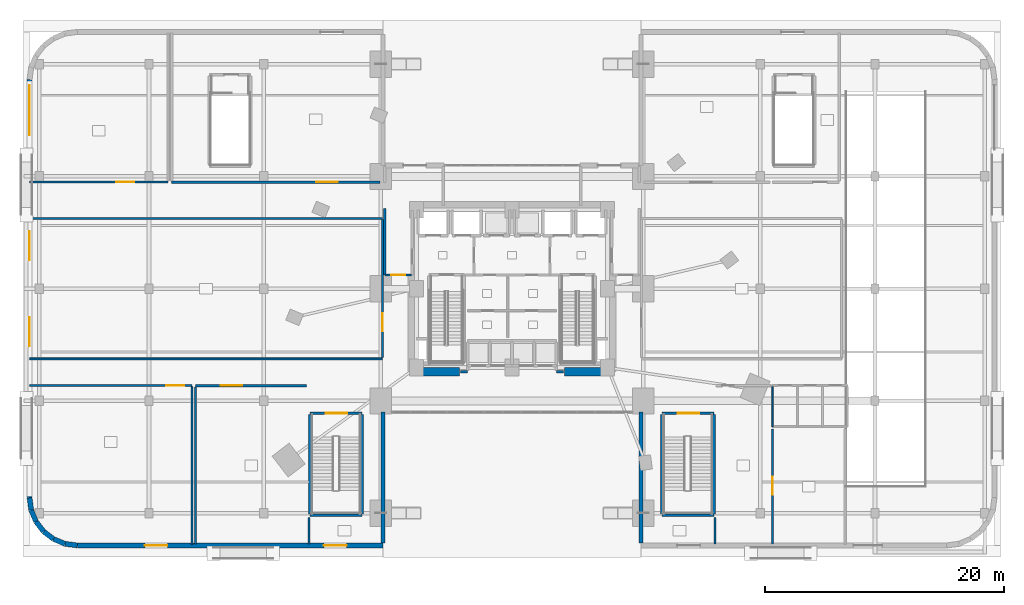
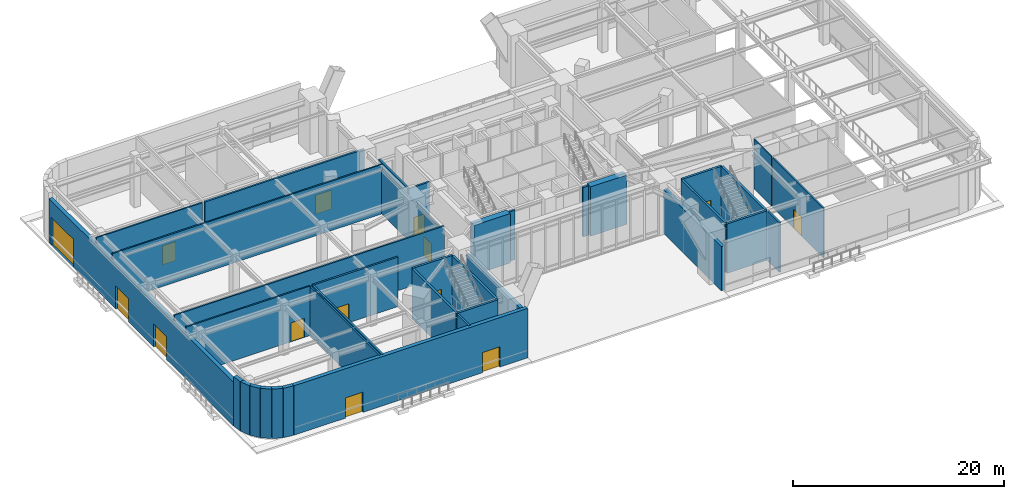
# One storey, part 17 of 27: 37 walls, 14 doors, 14 openings.
"""IFC4 building model written with IfcOpenShell, lengths in metres."""

import ifcopenshell
import ifcopenshell.guid

model = None  # the IFC model being written
_history = None  # IfcOwnerHistory: only IFC2X3 demands one
_inside = {}  # id of a spatial element -> (the spatial element, [elements in it])
_under = {}  # id of a project, library or spatial element -> (it, [spatial elements below it])
_declared = {}  # id of a project -> (the project, [libraries it declares])
_typed = {}  # id of a type object -> (the type object, [elements of that type])
_made_of = {}  # id of a material, layer set ... -> (it, [elements and type objects made of it])


def new_model(schema):
    """Start an empty IFC model of exactly this schema.

    Asked for "IFC4X3", IfcOpenShell would pick the latest addendum, in which some entities
    have other attributes; the version numbers below select the first issue.
    IFC2X3 requires an IfcOwnerHistory on every rooted entity: one is made here for all.
    """
    global model, _history
    if schema == "IFC4X3":
        model = ifcopenshell.file(schema_version=(4, 3, 0, 0))
    else:
        model = ifcopenshell.file(schema=schema)
    _inside.clear()
    _under.clear()
    _declared.clear()
    _typed.clear()
    _made_of.clear()
    _history = None
    if model.schema == "IFC2X3":
        org = make("IfcOrganization", Name="unknown")
        user = make(
            "IfcPersonAndOrganization",
            ThePerson=make("IfcPerson", FamilyName="unknown"),
            TheOrganization=org,
        )
        app = make(
            "IfcApplication",
            ApplicationDeveloper=org,
            Version="unknown",
            ApplicationFullName="unknown",
            ApplicationIdentifier="unknown",
        )
        _history = make(
            "IfcOwnerHistory",
            OwningUser=user,
            OwningApplication=app,
            ChangeAction="ADDED",
            CreationDate=0,
        )
    return model


def make(cls, **values):
    """One entity of the class cls with the attributes given. An attribute that is None is left unset."""
    return model.create_entity(
        cls, **{name: value for name, value in values.items() if value is not None}
    )


def rooted(cls, **values):
    """An entity with a GlobalId (a new one), such as an element, a storey or a relation."""
    return make(cls, GlobalId=ifcopenshell.guid.new(), OwnerHistory=_history, **values)


def si_unit(unit_type, name, prefix=None):
    """IfcSIUnit, for example si_unit("LENGTHUNIT", "METRE", prefix="MILLI")."""
    return make("IfcSIUnit", UnitType=unit_type, Prefix=prefix, Name=name)


def assignment(units):
    """IfcUnitAssignment: the units of a project."""
    return None if units is None else make("IfcUnitAssignment", Units=units)


def point(xyz):
    """IfcCartesianPoint."""
    return None if xyz is None else make("IfcCartesianPoint", Coordinates=xyz)


def direction(xyz):
    """IfcDirection."""
    return None if xyz is None else make("IfcDirection", DirectionRatios=xyz)


def frame(location, z_axis=None, x_axis=None):
    """IfcAxis2Placement3D, a coordinate frame: its origin and axes. An axis left out is left unset."""
    return make(
        "IfcAxis2Placement3D",
        Location=point(location),
        Axis=direction(z_axis),
        RefDirection=direction(x_axis),
    )


def frame_2d(location, x_axis=None):
    """IfcAxis2Placement2D, a coordinate frame in the plane: its origin and x axis."""
    return make(
        "IfcAxis2Placement2D", Location=point(location), RefDirection=direction(x_axis)
    )


def origin():
    """The frame at (0, 0, 0) with its axes left unset."""
    return frame((0.0, 0.0, 0.0))


def place(relative_to, where):
    """IfcLocalPlacement: puts the frame where relative to a parent placement (None: the world)."""
    return make(
        "IfcLocalPlacement", PlacementRelTo=relative_to, RelativePlacement=where
    )


def context(
    kind, dimensions, precision=None, world=None, true_north=None, identifier=None
):
    """IfcGeometricRepresentationContext, for example the 3D "Model" context."""
    return make(
        "IfcGeometricRepresentationContext",
        ContextIdentifier=identifier,
        ContextType=kind,
        CoordinateSpaceDimension=dimensions,
        Precision=precision,
        WorldCoordinateSystem=world,
        TrueNorth=true_north,
    )


def subcontext(parent, identifier, kind, view, scale=None):
    """IfcGeometricRepresentationSubContext, for example "Body" below "Model"."""
    return make(
        "IfcGeometricRepresentationSubContext",
        ContextIdentifier=identifier,
        ContextType=kind,
        ParentContext=parent,
        TargetScale=scale,
        TargetView=view,
    )


def project(units=None, contexts=None):
    """IfcProject with its units and contexts."""
    return rooted(
        "IfcProject",
        Name="project",
        RepresentationContexts=contexts,
        UnitsInContext=assignment(units),
    )


def spatial(cls, under=None, at=None, **own):
    """A site, building, storey or space (cls), placed at a placement, below another one or the project."""
    s = rooted(cls, ObjectPlacement=at, **own)
    if under is not None:
        _under.setdefault(under.id(), (under, []))[1].append(s)
    return s


def profile(cls, at=None, kind="AREA", **sizes):
    """A parametric profile (cls). Its sizes go by their IFC names, for example OverallWidth=200.0."""
    return make(cls, ProfileType=kind, Position=at, **sizes)


def rectangle(**sizes):
    """IfcRectangleProfileDef."""
    return profile("IfcRectangleProfileDef", **sizes)


def extrude(swept, where, along, depth):
    """IfcExtrudedAreaSolid: the profile swept, set in the frame where, extruded along a direction by depth."""
    return make(
        "IfcExtrudedAreaSolid",
        SweptArea=swept,
        Position=where,
        ExtrudedDirection=direction(along),
        Depth=depth,
    )


def shape(context_of_items, identifier, shape_type, items):
    """IfcShapeRepresentation: the items that make up one representation, for example the "Body"."""
    return make(
        "IfcShapeRepresentation",
        ContextOfItems=context_of_items,
        RepresentationIdentifier=identifier,
        RepresentationType=shape_type,
        Items=items,
    )


def material(Name=None, Category=None):
    """IfcMaterial."""
    return make("IfcMaterial", Name=Name, Category=Category)


def layer(
    of_material, thickness, ventilated=None, Name=None, Category=None, Priority=None
):
    """IfcMaterialLayer: one layer of a wall or slab, of a material (None: an air gap)."""
    return make(
        "IfcMaterialLayer",
        Material=of_material,
        LayerThickness=thickness,
        IsVentilated=ventilated,
        Name=Name,
        Category=Category,
        Priority=Priority,
    )


def layer_set(layers, Name=None):
    """IfcMaterialLayerSet."""
    return make("IfcMaterialLayerSet", MaterialLayers=layers, LayerSetName=Name)


def made_of(thing, what):
    """Note that an element or type object is made of a material, layer set ...; save() writes the relation."""
    if what is not None:
        _made_of.setdefault(what.id(), (what, []))[1].append(thing)
    return thing


def type_object(cls, material=None, **own):
    """A type object (cls), such as IfcWallType, which elements share."""
    return made_of(rooted(cls, **own), material)


def element(
    cls,
    number,
    at=None,
    inside=None,
    cuts=None,
    type_object=None,
    material=None,
    context=None,
    identifier="Body",
    shape_type=None,
    held_by="IfcProductDefinitionShape",
    body=None,
    shapes=None,
    **own,
):
    """One element of the class cls, such as IfcWall. Its Tag is "e" and its number.

    at: its placement. inside: the storey or other place that contains it. cuts: it is an
    opening in that element (IfcRelVoidsElement). A single representation is given by context,
    identifier, shape_type and body (its items); several are given by shapes. held_by: the class
    of the entity that holds the representations. save() writes the other relations.
    """
    e = rooted(cls, Tag="e%d" % number, ObjectPlacement=at, **own)
    if body is not None:
        shapes = [shape(context, identifier, shape_type, body)]
    if shapes is not None:
        e.Representation = make(held_by, Representations=shapes)
    if inside is not None:
        _inside.setdefault(inside.id(), (inside, []))[1].append(e)
    if cuts is not None:
        rooted(
            "IfcRelVoidsElement", RelatingBuildingElement=cuts, RelatedOpeningElement=e
        )
    if type_object is not None:
        _typed.setdefault(type_object.id(), (type_object, []))[1].append(e)
    return made_of(e, material)


def fill(opening, filler):
    """IfcRelFillsElement: the door or window that sits in an opening."""
    return rooted(
        "IfcRelFillsElement",
        RelatingOpeningElement=opening,
        RelatedBuildingElement=filler,
    )


def aggregate(whole, parts):
    """IfcRelAggregates: a whole, such as a stair, and the parts it consists of."""
    return rooted("IfcRelAggregates", RelatingObject=whole, RelatedObjects=parts)


def save(model, path):
    """Write the relations noted so far, then the file.

    IfcRelAggregates (storeys below a building ...), IfcRelContainedInSpatialStructure (elements
    in a storey), IfcRelDefinesByType, IfcRelAssociatesMaterial and IfcRelDeclares: one each for
    every whole, place, type object, material and project.
    """
    for whole, parts in _under.values():
        aggregate(whole, parts)
    for where, things in _inside.values():
        rooted(
            "IfcRelContainedInSpatialStructure",
            RelatedElements=things,
            RelatingStructure=where,
        )
    for kind, things in _typed.values():
        rooted("IfcRelDefinesByType", RelatedObjects=things, RelatingType=kind)
    for what, things in _made_of.values():
        rooted("IfcRelAssociatesMaterial", RelatedObjects=things, RelatingMaterial=what)
    for by, libraries in _declared.values():
        rooted("IfcRelDeclares", RelatingContext=by, RelatedDefinitions=libraries)
    model.write(path)


model = new_model("IFC4")

# Units and contexts
model_context = context("Model", 3, precision=1e-05, world=origin(), true_north=direction((0.0, 1.0)))
body_context = subcontext(model_context, "Body", "Model", "MODEL_VIEW")
ifc_project = project(units=[si_unit("LENGTHUNIT", "METRE"), si_unit("AREAUNIT", "SQUARE_METRE"), si_unit("VOLUMEUNIT", "CUBIC_METRE"), si_unit("PLANEANGLEUNIT", "RADIAN"), si_unit("MASSUNIT", "GRAM", prefix="KILO")], contexts=[model_context])

# Site, building, storey
site_placement = place(None, origin())
site = spatial("IfcSite", under=ifc_project, at=site_placement, CompositionType="ELEMENT")
building_placement = place(site_placement, origin())
building = spatial("IfcBuilding", under=site, at=building_placement, Name="Ndelora Gate Hotel", CompositionType="ELEMENT")
storey_placement = place(building_placement, origin())
storey = spatial("IfcBuildingStorey", under=building, at=storey_placement, Name="L00", CompositionType="ELEMENT", Elevation=0.0)

# Walls
ifc_material_1 = material(Name="Clay Brick Masonry", Category="masonry")
ifc_layer_1 = layer(ifc_material_1, 0.360107421875)
ifc_layer_set_1 = layer_set([ifc_layer_1], Name="Clay Brick Masonry")
wall_type_1 = type_object("IfcWallType", Name="WL-BRICK-360", PredefinedType="SOLIDWALL", material=ifc_layer_set_1)
for number, where, z_axis, x_axis, name in (
    (1, (-10.800048828125, -21.2900390625, 0.0), (0.0, 0.0, 1.0), (0.0, 1.0, 0.0), "L00 Portal Arch Brick Return Wall SW-RET"),
    (2, (10.800048828125, -10.320068359375, 0.0), (0.0, 0.0, 1.0), (0.0, -1.0, 0.0), "L00 Portal Arch Brick Return Wall SE-RET"),
):
    element("IfcWall", number, at=place(storey_placement, frame(where, z_axis=z_axis, x_axis=x_axis)), inside=storey, type_object=wall_type_1, Name=name, PredefinedType="SOLIDWALL", context=body_context, shape_type="SweptSolid", body=[
        extrude(rectangle(XDim=10.969970703125, YDim=0.360107421875, at=frame_2d((5.48486328125, 0.0))), origin(), (0.0, 0.0, 1.0), 5.10009765625),
    ])

# Wall, openings, doors
ifc_layer_2 = layer(ifc_material_1, 0.419921875)
ifc_layer_set_2 = layer_set([ifc_layer_2], Name="Clay Brick Masonry")
wall_type_2 = type_object("IfcWallType", Name="WL-BRICK-420", PredefinedType="SOLIDWALL", material=ifc_layer_set_2)
wall_1_placement = place(storey_placement, frame((-40.39990234375, -17.5, 0.0), z_axis=(0.0, 0.0, 1.0), x_axis=(0.0, 1.0, 0.0)))
wall_1 = element("IfcWall", 3, at=wall_1_placement, inside=storey, type_object=wall_type_2, Name="L00 Exterior Brick Pier-and-Spandrel Wall 22", PredefinedType="SOLIDWALL", context=body_context, shape_type="SweptSolid", body=[
    extrude(rectangle(XDim=35.0, YDim=0.419921875, at=frame_2d((17.5, 0.0))), origin(), (0.0, 0.0, 1.0), 5.10009765625),
])
opening_1_placement = place(wall_1_placement, frame((12.699951171875, 0.0, 0.0)))
opening_1 = element("IfcOpeningElement", 4, at=opening_1_placement, cuts=wall_1, Name="Opening ED1", PredefinedType="OPENING", context=body_context, shape_type="SweptSolid", body=[
    extrude(rectangle(XDim=2.39990234375, YDim=2.64990234375, at=frame_2d((1.199951171875, 1.324951171875))), frame((0.0, 0.219970703125, 0.0), z_axis=(0.0, -1.0, 0.0), x_axis=(1.0, 0.0, 0.0)), (0.0, 0.0, 1.0), 0.43994140625),
])
opening_2_placement = place(wall_1_placement, frame((19.89990234375, 0.0, 0.0)))
opening_2 = element("IfcOpeningElement", 5, at=opening_2_placement, cuts=wall_1, Name="Opening ED1", PredefinedType="OPENING", context=body_context, shape_type="SweptSolid", body=[
    extrude(rectangle(XDim=2.39990234375, YDim=2.64990234375, at=frame_2d((1.199951171875, 1.324951171875))), frame((0.0, 0.219970703125, 0.0), z_axis=(0.0, -1.0, 0.0), x_axis=(1.0, 0.0, 0.0)), (0.0, 0.0, 1.0), 0.43994140625),
])
opening_3_placement = place(wall_1_placement, frame((30.35009765625, 0.0, 0.0)))
opening_3 = element("IfcOpeningElement", 6, at=opening_3_placement, cuts=wall_1, Name="Opening GD2", PredefinedType="OPENING", context=body_context, shape_type="SweptSolid", body=[
    extrude(rectangle(XDim=4.199951171875, YDim=3.199951171875, at=frame_2d((2.10009765625, 1.60009765625))), frame((0.0, 0.219970703125, 0.0), z_axis=(0.0, -1.0, 0.0), x_axis=(1.0, 0.0, 0.0)), (0.0, 0.0, 1.0), 0.43994140625),
])
ifc_material_2 = material(Name="Architectural Bronze Glazed Door", Category="metal")
door_type_1 = type_object("IfcDoorType", Name="DR-EXT-2400", OperationType="DOUBLE_DOOR_SINGLE_SWING", PredefinedType="DOOR", material=ifc_material_2)
door_1_placement = place(opening_1_placement, origin())
door_1 = element("IfcDoor", 7, at=door_1_placement, inside=storey, type_object=door_type_1, Name="L00 Main Hotel Porte-Cochere Entrance E-01", OperationType="DOUBLE_DOOR_SINGLE_SWING", OverallHeight=2.64990234375, OverallWidth=2.39990234375, PredefinedType="DOOR", context=body_context, shape_type="SweptSolid", body=[
    extrude(rectangle(XDim=2.39990234375, YDim=2.64990234375, at=frame_2d((1.199951171875, 1.324951171875))), frame((0.0, 0.02490234375, 0.0), z_axis=(0.0, -1.0, 0.0), x_axis=(1.0, 0.0, 0.0)), (0.0, 0.0, 1.0), 0.050048828125),
])
fill(opening_1, door_1)
door_2_placement = place(opening_2_placement, origin())
door_2 = element("IfcDoor", 8, at=door_2_placement, inside=storey, type_object=door_type_1, Name="L00 Main Hotel Concierge Entrance E-02", OperationType="DOUBLE_DOOR_SINGLE_SWING", OverallHeight=2.64990234375, OverallWidth=2.39990234375, PredefinedType="DOOR", context=body_context, shape_type="SweptSolid", body=[
    extrude(rectangle(XDim=2.39990234375, YDim=2.64990234375, at=frame_2d((1.199951171875, 1.324951171875))), frame((0.0, 0.02490234375, 0.0), z_axis=(0.0, -1.0, 0.0), x_axis=(1.0, 0.0, 0.0)), (0.0, 0.0, 1.0), 0.050048828125),
])
fill(opening_2, door_2)
ifc_material_3 = material(Name="Galvanized Insulated Steel Shutter", Category="steel")
door_type_2 = type_object("IfcDoorType", Name="DR-SHUT-4200", OperationType="ROLLINGUP", PredefinedType="GATE", material=ifc_material_3)
door_3_placement = place(opening_3_placement, origin())
door_3 = element("IfcDoor", 9, at=door_3_placement, inside=storey, type_object=door_type_2, Name="L00 Service Loading Dock Roller Shutter E-03", OperationType="ROLLINGUP", OverallHeight=3.199951171875, OverallWidth=4.199951171875, PredefinedType="GATE", context=body_context, shape_type="SweptSolid", body=[
    extrude(rectangle(XDim=4.199951171875, YDim=3.199951171875, at=frame_2d((2.10009765625, 1.60009765625))), frame((0.0, 0.02490234375, 0.0), z_axis=(0.0, -1.0, 0.0), x_axis=(1.0, 0.0, 0.0)), (0.0, 0.0, 1.0), 0.050048828125),
])
fill(opening_3, door_3)

# Walls
wall_2_placement = place(storey_placement, frame((-40.263671875, -18.535400390625, 0.0), z_axis=(0.0, 0.0, 1.0), x_axis=(-0.130448465198, 0.991455091231, 0.0)))
element("IfcWall", 10, at=wall_2_placement, inside=storey, type_object=wall_type_2, Name="L00 Exterior Brick Pier-and-Spandrel Wall 23", PredefinedType="SOLIDWALL", context=body_context, shape_type="SweptSolid", body=[
    extrude(rectangle(XDim=1.04443359375, YDim=0.419921875, at=frame_2d((0.522216796875, 0.0))), origin(), (0.0, 0.0, 1.0), 5.719970703125),
])
wall_3_placement = place(storey_placement, frame((-39.864013671875, -19.5, 0.0), z_axis=(0.0, 0.0, 1.0), x_axis=(-0.382771688877, 0.923842970528, 0.0)))
element("IfcWall", 11, at=wall_3_placement, inside=storey, type_object=wall_type_2, Name="L00 Exterior Brick Pier-and-Spandrel Wall 24", PredefinedType="SOLIDWALL", context=body_context, shape_type="SweptSolid", body=[
    extrude(rectangle(XDim=1.044189453125, YDim=0.419921875, at=frame_2d((0.52197265625, 0.0))), origin(), (0.0, 0.0, 1.0), 5.719970703125),
])
wall_4_placement = place(storey_placement, frame((-39.228515625, -20.328369140625, 0.0), z_axis=(0.0, 0.0, 1.0), x_axis=(-0.608681879412, 0.793414374508, 0.0)))
element("IfcWall", 12, at=wall_4_placement, inside=storey, type_object=wall_type_2, Name="L00 Exterior Brick Pier-and-Spandrel Wall 25", PredefinedType="SOLIDWALL", context=body_context, shape_type="SweptSolid", body=[
    extrude(rectangle(XDim=1.0439453125, YDim=0.419921875, at=frame_2d((0.52197265625, 0.0))), origin(), (0.0, 0.0, 1.0), 5.719970703125),
])
wall_5_placement = place(storey_placement, frame((-38.39990234375, -20.964111328125, 0.0), z_axis=(0.0, 0.0, 1.0), x_axis=(-0.793388088797, 0.608716141198, 0.0)))
element("IfcWall", 13, at=wall_5_placement, inside=storey, type_object=wall_type_2, Name="L00 Exterior Brick Pier-and-Spandrel Wall 26", PredefinedType="SOLIDWALL", context=body_context, shape_type="SweptSolid", body=[
    extrude(rectangle(XDim=1.04443359375, YDim=0.419921875, at=frame_2d((0.522216796875, 0.0))), origin(), (0.0, 0.0, 1.0), 5.719970703125),
])
wall_6_placement = place(storey_placement, frame((-37.435302734375, -21.36376953125, 0.0), z_axis=(0.0, 0.0, 1.0), x_axis=(-0.923842970528, 0.382771688877, 0.0)))
element("IfcWall", 14, at=wall_6_placement, inside=storey, type_object=wall_type_2, Name="L00 Exterior Brick Pier-and-Spandrel Wall 27", PredefinedType="SOLIDWALL", context=body_context, shape_type="SweptSolid", body=[
    extrude(rectangle(XDim=1.044189453125, YDim=0.419921875, at=frame_2d((0.52197265625, 0.0))), origin(), (0.0, 0.0, 1.0), 5.719970703125),
])
wall_7_placement = place(storey_placement, frame((-36.39990234375, -21.5, 0.0), z_axis=(0.0, 0.0, 1.0), x_axis=(-0.991455091231, 0.130448465198, 0.0)))
element("IfcWall", 15, at=wall_7_placement, inside=storey, type_object=wall_type_2, Name="L00 Exterior Brick Pier-and-Spandrel Wall 28", PredefinedType="SOLIDWALL", context=body_context, shape_type="SweptSolid", body=[
    extrude(rectangle(XDim=1.04443359375, YDim=0.419921875, at=frame_2d((0.522216796875, 0.0))), origin(), (0.0, 0.0, 1.0), 5.719970703125),
])

# Wall, openings, doors
wall_8_placement = place(storey_placement, frame((-10.800048828125, -21.5, 0.0), z_axis=(0.0, 0.0, 1.0), x_axis=(-1.0, 0.0, 0.0)))
wall_8 = element("IfcWall", 16, at=wall_8_placement, inside=storey, type_object=wall_type_2, Name="L00 Exterior Brick Pier-and-Spandrel Wall 29", PredefinedType="SOLIDWALL", context=body_context, shape_type="SweptSolid", body=[
    extrude(rectangle(XDim=25.599853515625, YDim=0.419921875, at=frame_2d((12.7998046875, 0.0))), origin(), (0.0, 0.0, 1.0), 5.719970703125),
])
opening_4_placement = place(wall_8_placement, frame((18.050048828125, 0.0, 0.0)))
opening_4 = element("IfcOpeningElement", 17, at=opening_4_placement, cuts=wall_8, Name="Opening ED2", PredefinedType="OPENING", context=body_context, shape_type="SweptSolid", body=[
    extrude(rectangle(XDim=1.89990234375, YDim=2.35009765625, at=frame_2d((0.949951171875, 1.175048828125))), frame((0.0, 0.219970703125, 0.0), z_axis=(0.0, -1.0, 0.0), x_axis=(1.0, 0.0, 0.0)), (0.0, 0.0, 1.0), 0.43994140625),
])
opening_5_placement = place(wall_8_placement, frame((3.050048828125, 0.0, 0.0)))
opening_5 = element("IfcOpeningElement", 18, at=opening_5_placement, cuts=wall_8, Name="Opening ED2", PredefinedType="OPENING", context=body_context, shape_type="SweptSolid", body=[
    extrude(rectangle(XDim=1.89990234375, YDim=2.35009765625, at=frame_2d((0.949951171875, 1.175048828125))), frame((0.0, 0.219970703125, 0.0), z_axis=(0.0, -1.0, 0.0), x_axis=(1.0, 0.0, 0.0)), (0.0, 0.0, 1.0), 0.43994140625),
])
door_type_3 = type_object("IfcDoorType", Name="DR-EXT-1900", OperationType="DOUBLE_DOOR_SINGLE_SWING", PredefinedType="DOOR", material=ifc_material_2)
door_4_placement = place(opening_4_placement, origin())
door_4 = element("IfcDoor", 19, at=door_4_placement, inside=storey, type_object=door_type_3, Name="L00 South-West Retail Exit Entrance Door E-08", OperationType="DOUBLE_DOOR_SINGLE_SWING", OverallHeight=2.35009765625, OverallWidth=1.89990234375, PredefinedType="DOOR", context=body_context, shape_type="SweptSolid", body=[
    extrude(rectangle(XDim=1.89990234375, YDim=2.35009765625, at=frame_2d((0.949951171875, 1.175048828125))), frame((0.0, 0.02490234375, 0.0), z_axis=(0.0, -1.0, 0.0), x_axis=(1.0, 0.0, 0.0)), (0.0, 0.0, 1.0), 0.050048828125),
])
fill(opening_4, door_4)
door_5_placement = place(opening_5_placement, origin())
door_5 = element("IfcDoor", 20, at=door_5_placement, inside=storey, type_object=door_type_3, Name="L00 Ballroom Stair ST3A Street Discharge Door E-09", OperationType="DOUBLE_DOOR_SINGLE_SWING", OverallHeight=2.35009765625, OverallWidth=1.89990234375, PredefinedType="DOOR", context=body_context, shape_type="SweptSolid", body=[
    extrude(rectangle(XDim=1.89990234375, YDim=2.35009765625, at=frame_2d((0.949951171875, 1.175048828125))), frame((0.0, 0.02490234375, 0.0), z_axis=(0.0, -1.0, 0.0), x_axis=(1.0, 0.0, 0.0)), (0.0, 0.0, 1.0), 0.050048828125),
])
fill(opening_5, door_5)

# Walls
ifc_material_4 = material(Name="Concrete C60/75", Category="concrete")
ifc_layer_3 = layer(ifc_material_4, 0.699951171875)
ifc_layer_set_3 = layer_set([ifc_layer_3], Name="Concrete C60/75")
wall_type_3 = type_object("IfcWallType", Name="WL-CORE-700", PredefinedType="SHEAR", material=ifc_layer_set_3)
for number, where, z_axis, x_axis, name in (
    (21, (-8.35009765625, -6.949951171875, 0.0), (0.0, 0.0, 1.0), (1.0, 0.0, 0.0), "L00 Core Shear Wall S-W"),
    (22, (4.39990234375, -6.949951171875, 0.0), (0.0, 0.0, 1.0), (1.0, 0.0, 0.0), "L00 Core Shear Wall S-E"),
):
    element("IfcWall", number, at=place(storey_placement, frame(where, z_axis=z_axis, x_axis=x_axis)), inside=storey, type_object=wall_type_3, Name=name, PredefinedType="SHEAR", context=body_context, shape_type="SweptSolid", body=[
        extrude(rectangle(XDim=3.9501953125, YDim=0.699951171875, at=frame_2d((1.97509765625, 0.0))), origin(), (0.0, 0.0, 1.0), 5.719970703125),
    ])
ifc_material_5 = material(Name="Concrete C40/50", Category="concrete")
ifc_layer_4 = layer(ifc_material_5, 0.199951171875)
ifc_layer_set_4 = layer_set([ifc_layer_4], Name="Concrete C40/50")
wall_type_4 = type_object("IfcWallType", Name="WL-FIRE-200", PredefinedType="PARTITIONING", material=ifc_layer_set_4)
for number, where, z_axis, x_axis, name in (
    (23, (-4.320068359375, -6.949951171875, 0.0), (0.0, 0.0, 1.0), (1.0, 0.0, 0.0), "L00 Interior Wall IW-2"),
    (24, (3.719970703125, -6.949951171875, 0.0), (0.0, 0.0, 1.0), (1.0, 0.0, 0.0), "L00 Interior Wall IW-2"),
):
    element("IfcWall", number, at=place(storey_placement, frame(where, z_axis=z_axis, x_axis=x_axis)), inside=storey, type_object=wall_type_4, Name=name, PredefinedType="PARTITIONING", context=body_context, shape_type="SweptSolid", body=[
        extrude(rectangle(XDim=0.60009765625, YDim=0.199951171875, at=frame_2d((0.300048828125, 0.0))), origin(), (0.0, 0.0, 1.0), 5.719970703125),
    ])

# Wall, opening, door
wall_9_placement = place(storey_placement, frame((-17.199951171875, -8.1201171875, 0.0), z_axis=(0.0, 0.0, 1.0), x_axis=(-1.0, 0.0, 0.0)))
wall_9 = element("IfcWall", 25, at=wall_9_placement, inside=storey, type_object=wall_type_4, Name="L00 Interior Wall IW-2", PredefinedType="PARTITIONING", context=body_context, shape_type="SweptSolid", body=[
    extrude(rectangle(XDim=9.300048828125, YDim=0.199951171875, at=frame_2d((4.64990234375, 0.0))), origin(), (0.0, 0.0, 1.0), 5.719970703125),
])
opening_6_placement = place(wall_9_placement, frame((5.39990234375, 0.0, 0.0)))
opening_6 = element("IfcOpeningElement", 26, at=opening_6_placement, cuts=wall_9, Name="Opening FD2", PredefinedType="OPENING", context=body_context, shape_type="SweptSolid", body=[
    extrude(rectangle(XDim=1.800048828125, YDim=2.199951171875, at=frame_2d((0.89990234375, 1.10009765625))), frame((0.0, 0.10986328125, 0.0), z_axis=(0.0, -1.0, 0.0), x_axis=(1.0, 0.0, 0.0)), (0.0, 0.0, 1.0), 0.219970703125),
])
ifc_material_6 = material(Name="Fire-Rated Double Exit Door", Category="wood")
door_type_4 = type_object("IfcDoorType", Name="DR-DBL-1800", OperationType="DOUBLE_DOOR_SINGLE_SWING", PredefinedType="DOOR", material=ifc_material_6)
door_6_placement = place(opening_6_placement, origin())
door_6 = element("IfcDoor", 27, at=door_6_placement, inside=storey, type_object=door_type_4, Name="L00 Fire Command Room Door", OperationType="DOUBLE_DOOR_SINGLE_SWING", OverallHeight=2.199951171875, OverallWidth=1.800048828125, PredefinedType="DOOR", context=body_context, shape_type="SweptSolid", body=[
    extrude(rectangle(XDim=1.800048828125, YDim=2.199951171875, at=frame_2d((0.89990234375, 1.10009765625))), frame((0.0, 0.02490234375, 0.0), z_axis=(0.0, -1.0, 0.0), x_axis=(1.0, 0.0, 0.0)), (0.0, 0.0, 1.0), 0.050048828125),
])
fill(opening_6, door_6)

# Wall
wall_10_placement = place(storey_placement, frame((-26.5, -8.219970703125, 0.0), z_axis=(0.0, 0.0, 1.0), x_axis=(0.0, -1.0, 0.0)))
element("IfcWall", 28, at=wall_10_placement, inside=storey, type_object=wall_type_4, Name="L00 Interior Wall IW-2", PredefinedType="PARTITIONING", context=body_context, shape_type="SweptSolid", body=[
    extrude(rectangle(XDim=13.179931640625, YDim=0.199951171875, at=frame_2d((6.58984375, 0.0))), origin(), (0.0, 0.0, 1.0), 5.719970703125),
])

# Wall, opening, door
wall_11_placement = place(storey_placement, frame((-28.5, 8.919921875, 0.0), z_axis=(0.0, 0.0, 1.0), x_axis=(1.0, 0.0, 0.0)))
wall_11 = element("IfcWall", 29, at=wall_11_placement, inside=storey, type_object=wall_type_4, Name="L00 Interior Wall IW-2", PredefinedType="PARTITIONING", context=body_context, shape_type="SweptSolid", body=[
    extrude(rectangle(XDim=17.449951171875, YDim=0.199951171875, at=frame_2d((8.72509765625, 0.0))), origin(), (0.0, 0.0, 1.0), 5.719970703125),
])
opening_7_placement = place(wall_11_placement, frame((12.10009765625, 0.0, 0.0)))
opening_7 = element("IfcOpeningElement", 30, at=opening_7_placement, cuts=wall_11, Name="Opening FD2", PredefinedType="OPENING", context=body_context, shape_type="SweptSolid", body=[
    extrude(rectangle(XDim=1.800048828125, YDim=2.199951171875, at=frame_2d((0.89990234375, 1.10009765625))), frame((0.0, 0.10986328125, 0.0), z_axis=(0.0, -1.0, 0.0), x_axis=(1.0, 0.0, 0.0)), (0.0, 0.0, 1.0), 0.219970703125),
])
door_7_placement = place(opening_7_placement, origin())
door_7 = element("IfcDoor", 31, at=door_7_placement, inside=storey, type_object=door_type_4, Name="L00 West Protected Exit Passage Door", OperationType="DOUBLE_DOOR_SINGLE_SWING", OverallHeight=2.199951171875, OverallWidth=1.800048828125, PredefinedType="DOOR", context=body_context, shape_type="SweptSolid", body=[
    extrude(rectangle(XDim=1.800048828125, YDim=2.199951171875, at=frame_2d((0.89990234375, 1.10009765625))), frame((0.0, 0.02490234375, 0.0), z_axis=(0.0, -1.0, 0.0), x_axis=(1.0, 0.0, 0.0)), (0.0, 0.0, 1.0), 0.050048828125),
])
fill(opening_7, door_7)

# Walls
for number, where, z_axis, x_axis, name in (
    (32, (-17.0, -19.14990234375, 0.0), (0.0, 0.0, 1.0), (0.0, -1.0, 0.0), "L00 Interior Wall IW-2"),
    (33, (17.0, -21.39990234375, 0.0), (0.0, 0.0, 1.0), (0.0, 1.0, 0.0), "L00 Interior Wall IW-2"),
):
    element("IfcWall", number, at=place(storey_placement, frame(where, z_axis=z_axis, x_axis=x_axis)), inside=storey, type_object=wall_type_4, Name=name, PredefinedType="PARTITIONING", context=body_context, shape_type="SweptSolid", body=[
        extrude(rectangle(XDim=2.25, YDim=0.199951171875, at=frame_2d((1.125, 0.0))), origin(), (0.0, 0.0, 1.0), 5.719970703125),
    ])
wall_12_placement = place(storey_placement, frame((-10.64990234375, 6.719970703125, 0.0), z_axis=(0.0, 0.0, 1.0), x_axis=(0.0, -1.0, 0.0)))
element("IfcWall", 34, at=wall_12_placement, inside=storey, type_object=wall_type_4, Name="L00 Interior Wall IW-2", PredefinedType="PARTITIONING", context=body_context, shape_type="SweptSolid", body=[
    extrude(rectangle(XDim=5.570068359375, YDim=0.199951171875, at=frame_2d((2.78515625, 0.0))), origin(), (0.0, 0.0, 1.0), 5.719970703125),
])

# Wall, opening, door
wall_13_placement = place(storey_placement, frame((-10.64990234375, 1.14990234375, 0.0), z_axis=(0.0, 0.0, 1.0), x_axis=(1.0, 0.0, 0.0)))
wall_13 = element("IfcWall", 35, at=wall_13_placement, inside=storey, type_object=wall_type_4, Name="L00 Interior Wall IW-2", PredefinedType="PARTITIONING", context=body_context, shape_type="SweptSolid", body=[
    extrude(rectangle(XDim=2.25, YDim=0.199951171875, at=frame_2d((1.125, 0.0))), origin(), (0.0, 0.0, 1.0), 5.719970703125),
])
opening_8_placement = place(wall_13_placement, frame((0.550048828125, 0.0, 0.0)))
opening_8 = element("IfcOpeningElement", 36, at=opening_8_placement, cuts=wall_13, Name="Opening FD1", PredefinedType="OPENING", context=body_context, shape_type="SweptSolid", body=[
    extrude(rectangle(XDim=1.14990234375, YDim=2.14990234375, at=frame_2d((0.574951171875, 1.074951171875))), frame((0.0, 0.10986328125, 0.0), z_axis=(0.0, -1.0, 0.0), x_axis=(1.0, 0.0, 0.0)), (0.0, 0.0, 1.0), 0.219970703125),
])
ifc_material_7 = material(Name="Fire-Rated Timber-Veneer Steel Core", Category="steel")
door_type_5 = type_object("IfcDoorType", Name="DR-FD60", OperationType="SINGLE_SWING_LEFT", PredefinedType="DOOR", material=ifc_material_7)
door_8_placement = place(opening_8_placement, origin())
door_8 = element("IfcDoor", 37, at=door_8_placement, inside=storey, type_object=door_type_5, Name="L00 Core Protected Exit Passage West Door", OperationType="SINGLE_SWING_LEFT", OverallHeight=2.14990234375, OverallWidth=1.14990234375, PredefinedType="DOOR", context=body_context, shape_type="SweptSolid", body=[
    extrude(rectangle(XDim=1.14990234375, YDim=2.14990234375, at=frame_2d((0.574951171875, 1.074951171875))), frame((0.0, 0.02490234375, 0.0), z_axis=(0.0, -1.0, 0.0), x_axis=(1.0, 0.0, 0.0)), (0.0, 0.0, 1.0), 0.050048828125),
])
fill(opening_8, door_8)

# Walls
ifc_material_8 = material(Name="Fire-Rated Gypsum Stud Partition", Category="gypsum")
ifc_layer_5 = layer(ifc_material_8, 0.159912109375)
ifc_layer_set_5 = layer_set([ifc_layer_5], Name="Fire-Rated Gypsum Stud Partition")
wall_type_5 = type_object("IfcWallType", Name="WL-PART-160", PredefinedType="PARTITIONING", material=ifc_layer_set_5)
for number, where, z_axis, x_axis, name in (
    (38, (-10.85009765625, 5.8798828125, 0.0), (0.0, 0.0, 1.0), (-1.0, 0.0, 0.0), "L00 Interior Wall IW-4"),
    (39, (-40.39990234375, -5.8798828125, 0.0), (0.0, 0.0, 1.0), (1.0, 0.0, 0.0), "L00 Interior Wall IW-4"),
):
    element("IfcWall", number, at=place(storey_placement, frame(where, z_axis=z_axis, x_axis=x_axis)), inside=storey, type_object=wall_type_5, Name=name, PredefinedType="PARTITIONING", context=body_context, shape_type="SweptSolid", body=[
        extrude(rectangle(XDim=29.5498046875, YDim=0.159912109375, at=frame_2d((14.77490234375, 0.0))), origin(), (0.0, 0.0, 1.0), 5.719970703125),
    ])

# Wall, opening, door
wall_14_placement = place(storey_placement, frame((-10.85009765625, -5.780029296875, 0.0), z_axis=(0.0, 0.0, 1.0), x_axis=(0.0, 1.0, 0.0)))
wall_14 = element("IfcWall", 40, at=wall_14_placement, inside=storey, type_object=wall_type_5, Name="L00 Interior Wall IW-4", PredefinedType="PARTITIONING", context=body_context, shape_type="SweptSolid", body=[
    extrude(rectangle(XDim=11.56005859375, YDim=0.159912109375, at=frame_2d((5.780029296875, 0.0))), origin(), (0.0, 0.0, 1.0), 5.10009765625),
])
opening_9_placement = place(wall_14_placement, frame((2.22998046875, 0.0, 0.0)))
opening_9 = element("IfcOpeningElement", 41, at=opening_9_placement, cuts=wall_14, Name="Opening D06", PredefinedType="OPENING", context=body_context, shape_type="SweptSolid", body=[
    extrude(rectangle(XDim=1.5, YDim=2.199951171875, at=frame_2d((0.75, 1.10009765625))), frame((0.0, 0.08984375, 0.0), z_axis=(0.0, -1.0, 0.0), x_axis=(1.0, 0.0, 0.0)), (0.0, 0.0, 1.0), 0.179931640625),
])
ifc_material_9 = material(Name="Podium Salon Double Leaf Door", Category="wood")
door_type_6 = type_object("IfcDoorType", Name="DR-POD-1500", OperationType="DOUBLE_DOOR_SINGLE_SWING", PredefinedType="DOOR", material=ifc_material_9)
door_9_placement = place(opening_9_placement, origin())
door_9 = element("IfcDoor", 42, at=door_9_placement, inside=storey, type_object=door_type_6, Name="L00 Hotel Arrival Reception Hall Door", OperationType="DOUBLE_DOOR_SINGLE_SWING", OverallHeight=2.199951171875, OverallWidth=1.5, PredefinedType="DOOR", context=body_context, shape_type="SweptSolid", body=[
    extrude(rectangle(XDim=1.5, YDim=2.199951171875, at=frame_2d((0.75, 1.10009765625))), frame((0.0, 0.02490234375, 0.0), z_axis=(0.0, -1.0, 0.0), x_axis=(1.0, 0.0, 0.0)), (0.0, 0.0, 1.0), 0.050048828125),
])
fill(opening_9, door_9)

wall_15_placement = place(storey_placement, frame((21.800048828125, -11.75, 0.0), z_axis=(0.0, 0.0, 1.0), x_axis=(0.0, -1.0, 0.0)))
wall_15 = element("IfcWall", 43, at=wall_15_placement, inside=storey, type_object=wall_type_5, Name="L00 Interior Wall IW-4", PredefinedType="PARTITIONING", context=body_context, shape_type="SweptSolid", body=[
    extrude(rectangle(XDim=9.64990234375, YDim=0.159912109375, at=frame_2d((4.824951171875, 0.0))), origin(), (0.0, 0.0, 1.0), 5.719970703125),
])
opening_10_placement = place(wall_15_placement, frame((4.0, 0.0, 0.0)))
opening_10 = element("IfcOpeningElement", 44, at=opening_10_placement, cuts=wall_15, Name="Opening D06", PredefinedType="OPENING", context=body_context, shape_type="SweptSolid", body=[
    extrude(rectangle(XDim=1.5, YDim=2.199951171875, at=frame_2d((0.75, 1.10009765625))), frame((0.0, 0.08984375, 0.0), z_axis=(0.0, -1.0, 0.0), x_axis=(1.0, 0.0, 0.0)), (0.0, 0.0, 1.0), 0.179931640625),
])
door_10_placement = place(opening_10_placement, origin())
door_10 = element("IfcDoor", 45, at=door_10_placement, inside=storey, type_object=door_type_6, Name="L00 East Conservatory Dining Room Door", OperationType="DOUBLE_DOOR_SINGLE_SWING", OverallHeight=2.199951171875, OverallWidth=1.5, PredefinedType="DOOR", context=body_context, shape_type="SweptSolid", body=[
    extrude(rectangle(XDim=1.5, YDim=2.199951171875, at=frame_2d((0.75, 1.10009765625))), frame((0.0, 0.02490234375, 0.0), z_axis=(0.0, -1.0, 0.0), x_axis=(1.0, 0.0, 0.0)), (0.0, 0.0, 1.0), 0.050048828125),
])
fill(opening_10, door_10)

wall_16_placement = place(storey_placement, frame((-26.800048828125, -8.1201171875, 0.0), z_axis=(0.0, 0.0, 1.0), x_axis=(-1.0, 0.0, 0.0)))
wall_16 = element("IfcWall", 46, at=wall_16_placement, inside=storey, type_object=wall_type_5, Name="L00 Interior Wall IW-4", PredefinedType="PARTITIONING", context=body_context, shape_type="SweptSolid", body=[
    extrude(rectangle(XDim=13.599853515625, YDim=0.159912109375, at=frame_2d((6.7998046875, 0.0))), origin(), (0.0, 0.0, 1.0), 5.719970703125),
])
opening_11_placement = place(wall_16_placement, frame((0.64990234375, 0.0, 0.0)))
opening_11 = element("IfcOpeningElement", 47, at=opening_11_placement, cuts=wall_16, Name="Opening D06", PredefinedType="OPENING", context=body_context, shape_type="SweptSolid", body=[
    extrude(rectangle(XDim=1.5, YDim=2.199951171875, at=frame_2d((0.75, 1.10009765625))), frame((0.0, 0.08984375, 0.0), z_axis=(0.0, -1.0, 0.0), x_axis=(1.0, 0.0, 0.0)), (0.0, 0.0, 1.0), 0.179931640625),
])
door_11_placement = place(opening_11_placement, origin())
door_11 = element("IfcDoor", 48, at=door_11_placement, inside=storey, type_object=door_type_6, Name="L00 Boutique Retail Shop Door", OperationType="DOUBLE_DOOR_SINGLE_SWING", OverallHeight=2.199951171875, OverallWidth=1.5, PredefinedType="DOOR", context=body_context, shape_type="SweptSolid", body=[
    extrude(rectangle(XDim=1.5, YDim=2.199951171875, at=frame_2d((0.75, 1.10009765625))), frame((0.0, 0.02490234375, 0.0), z_axis=(0.0, -1.0, 0.0), x_axis=(1.0, 0.0, 0.0)), (0.0, 0.0, 1.0), 0.050048828125),
])
fill(opening_11, door_11)

# Wall
wall_17_placement = place(storey_placement, frame((-26.800048828125, -21.39990234375, 0.0), z_axis=(0.0, 0.0, 1.0), x_axis=(0.0, 1.0, 0.0)))
element("IfcWall", 49, at=wall_17_placement, inside=storey, type_object=wall_type_5, Name="L00 Interior Wall IW-4", PredefinedType="PARTITIONING", context=body_context, shape_type="SweptSolid", body=[
    extrude(rectangle(XDim=13.179931640625, YDim=0.159912109375, at=frame_2d((6.58984375, 0.0))), origin(), (0.0, 0.0, 1.0), 5.719970703125),
])

# Wall, opening, door
wall_18_placement = place(storey_placement, frame((-40.39990234375, 8.919921875, 0.0), z_axis=(0.0, 0.0, 1.0), x_axis=(1.0, 0.0, 0.0)))
wall_18 = element("IfcWall", 50, at=wall_18_placement, inside=storey, type_object=wall_type_5, Name="L00 Interior Wall IW-4", PredefinedType="PARTITIONING", context=body_context, shape_type="SweptSolid", body=[
    extrude(rectangle(XDim=11.599853515625, YDim=0.159912109375, at=frame_2d((5.7998046875, 0.0))), origin(), (0.0, 0.0, 1.0), 5.719970703125),
])
opening_12_placement = place(wall_18_placement, frame((7.260009765625, 0.0, 0.0)))
opening_12 = element("IfcOpeningElement", 51, at=opening_12_placement, cuts=wall_18, Name="Opening D06", PredefinedType="OPENING", context=body_context, shape_type="SweptSolid", body=[
    extrude(rectangle(XDim=1.5, YDim=2.199951171875, at=frame_2d((0.75, 1.10009765625))), frame((0.0, 0.08984375, 0.0), z_axis=(0.0, -1.0, 0.0), x_axis=(1.0, 0.0, 0.0)), (0.0, 0.0, 1.0), 0.179931640625),
])
door_12_placement = place(opening_12_placement, origin())
door_12 = element("IfcDoor", 52, at=door_12_placement, inside=storey, type_object=door_type_6, Name="L00 Luggage and Receiving Store Door", OperationType="DOUBLE_DOOR_SINGLE_SWING", OverallHeight=2.199951171875, OverallWidth=1.5, PredefinedType="DOOR", context=body_context, shape_type="SweptSolid", body=[
    extrude(rectangle(XDim=1.5, YDim=2.199951171875, at=frame_2d((0.75, 1.10009765625))), frame((0.0, 0.02490234375, 0.0), z_axis=(0.0, -1.0, 0.0), x_axis=(1.0, 0.0, 0.0)), (0.0, 0.0, 1.0), 0.050048828125),
])
fill(opening_12, door_12)

# Walls
ifc_material_10 = material(Name="Concrete C50/60", Category="concrete")
ifc_layer_6 = layer(ifc_material_10, 0.239990234375)
ifc_layer_set_6 = layer_set([ifc_layer_6], Name="Concrete C50/60")
wall_type_6 = type_object("IfcWallType", Name="WL-STAIR-240", PredefinedType="SHEAR", material=ifc_layer_set_6)
for number, where, z_axis, x_axis, name in (
    (53, (-16.919921875, -18.860107421875, 0.0), (0.0, 0.0, 1.0), (0.0, 1.0, 0.0), "L00 Stair Core Shear Wall SW-ST"),
    (54, (-12.5400390625, -18.860107421875, 0.0), (0.0, 0.0, 1.0), (0.0, 1.0, 0.0), "L00 Stair Core Shear Wall SW-ST"),
):
    element("IfcWall", number, at=place(storey_placement, frame(where, z_axis=z_axis, x_axis=x_axis)), inside=storey, type_object=wall_type_6, Name=name, PredefinedType="SHEAR", context=body_context, shape_type="SweptSolid", body=[
        extrude(rectangle(XDim=8.320068359375, YDim=0.239990234375, at=frame_2d((4.16015625, 0.0))), origin(), (0.0, 0.0, 1.0), 5.719970703125),
    ])
wall_19_placement = place(storey_placement, frame((-16.919921875, -18.969970703125, 0.0), z_axis=(0.0, 0.0, 1.0), x_axis=(1.0, 0.0, 0.0)))
element("IfcWall", 55, at=wall_19_placement, inside=storey, type_object=wall_type_6, Name="L00 Stair Core Shear Wall SW-ST", PredefinedType="SHEAR", context=body_context, shape_type="SweptSolid", body=[
    extrude(rectangle(XDim=4.3798828125, YDim=0.239990234375, at=frame_2d((2.18994140625, 0.0))), origin(), (0.0, 0.0, 1.0), 5.719970703125),
])

# Wall, opening, door
wall_20_placement = place(storey_placement, frame((-12.5400390625, -10.429931640625, 0.0), z_axis=(0.0, 0.0, 1.0), x_axis=(-1.0, 0.0, 0.0)))
wall_20 = element("IfcWall", 56, at=wall_20_placement, inside=storey, type_object=wall_type_6, Name="L00 Stair Core Shear Wall SW-ST", PredefinedType="SHEAR", context=body_context, shape_type="SweptSolid", body=[
    extrude(rectangle(XDim=4.3798828125, YDim=0.239990234375, at=frame_2d((2.18994140625, 0.0))), origin(), (0.0, 0.0, 1.0), 5.719970703125),
])
opening_13_placement = place(wall_20_placement, frame((1.25, 0.0, 0.0)))
opening_13 = element("IfcOpeningElement", 57, at=opening_13_placement, cuts=wall_20, Name="Opening FD2", PredefinedType="OPENING", context=body_context, shape_type="SweptSolid", body=[
    extrude(rectangle(XDim=1.800048828125, YDim=2.199951171875, at=frame_2d((0.89990234375, 1.10009765625))), frame((0.0, 0.1298828125, 0.0), z_axis=(0.0, -1.0, 0.0), x_axis=(1.0, 0.0, 0.0)), (0.0, 0.0, 1.0), 0.260009765625),
])
door_13_placement = place(opening_13_placement, origin())
door_13 = element("IfcDoor", 58, at=door_13_placement, inside=storey, type_object=door_type_4, Name="L00 Ballroom Stair ST3A Door", OperationType="DOUBLE_DOOR_SINGLE_SWING", OverallHeight=2.199951171875, OverallWidth=1.800048828125, PredefinedType="DOOR", context=body_context, shape_type="SweptSolid", body=[
    extrude(rectangle(XDim=1.800048828125, YDim=2.199951171875, at=frame_2d((0.89990234375, 1.10009765625))), frame((0.0, 0.02490234375, 0.0), z_axis=(0.0, -1.0, 0.0), x_axis=(1.0, 0.0, 0.0)), (0.0, 0.0, 1.0), 0.050048828125),
])
fill(opening_13, door_13)

# Walls
for number, where, z_axis, x_axis, name in (
    (59, (12.5400390625, -18.860107421875, 0.0), (0.0, 0.0, 1.0), (0.0, 1.0, 0.0), "L00 Stair Core Shear Wall SW-ST"),
    (60, (16.919921875, -18.860107421875, 0.0), (0.0, 0.0, 1.0), (0.0, 1.0, 0.0), "L00 Stair Core Shear Wall SW-ST"),
):
    element("IfcWall", number, at=place(storey_placement, frame(where, z_axis=z_axis, x_axis=x_axis)), inside=storey, type_object=wall_type_6, Name=name, PredefinedType="SHEAR", context=body_context, shape_type="SweptSolid", body=[
        extrude(rectangle(XDim=8.320068359375, YDim=0.239990234375, at=frame_2d((4.16015625, 0.0))), origin(), (0.0, 0.0, 1.0), 5.719970703125),
    ])
wall_21_placement = place(storey_placement, frame((12.5400390625, -18.969970703125, 0.0), z_axis=(0.0, 0.0, 1.0), x_axis=(1.0, 0.0, 0.0)))
element("IfcWall", 61, at=wall_21_placement, inside=storey, type_object=wall_type_6, Name="L00 Stair Core Shear Wall SW-ST", PredefinedType="SHEAR", context=body_context, shape_type="SweptSolid", body=[
    extrude(rectangle(XDim=4.3798828125, YDim=0.239990234375, at=frame_2d((2.18994140625, 0.0))), origin(), (0.0, 0.0, 1.0), 5.719970703125),
])

# Wall, opening, door
wall_22_placement = place(storey_placement, frame((16.919921875, -10.429931640625, 0.0), z_axis=(0.0, 0.0, 1.0), x_axis=(-1.0, 0.0, 0.0)))
wall_22 = element("IfcWall", 62, at=wall_22_placement, inside=storey, type_object=wall_type_6, Name="L00 Stair Core Shear Wall SW-ST", PredefinedType="SHEAR", context=body_context, shape_type="SweptSolid", body=[
    extrude(rectangle(XDim=4.3798828125, YDim=0.239990234375, at=frame_2d((2.18994140625, 0.0))), origin(), (0.0, 0.0, 1.0), 5.719970703125),
])
opening_14_placement = place(wall_22_placement, frame((1.25, 0.0, 0.0)))
opening_14 = element("IfcOpeningElement", 63, at=opening_14_placement, cuts=wall_22, Name="Opening FD2", PredefinedType="OPENING", context=body_context, shape_type="SweptSolid", body=[
    extrude(rectangle(XDim=1.800048828125, YDim=2.199951171875, at=frame_2d((0.89990234375, 1.10009765625))), frame((0.0, 0.1298828125, 0.0), z_axis=(0.0, -1.0, 0.0), x_axis=(1.0, 0.0, 0.0)), (0.0, 0.0, 1.0), 0.260009765625),
])
door_14_placement = place(opening_14_placement, origin())
door_14 = element("IfcDoor", 64, at=door_14_placement, inside=storey, type_object=door_type_4, Name="L00 Ballroom Stair ST3B Door", OperationType="DOUBLE_DOOR_SINGLE_SWING", OverallHeight=2.199951171875, OverallWidth=1.800048828125, PredefinedType="DOOR", context=body_context, shape_type="SweptSolid", body=[
    extrude(rectangle(XDim=1.800048828125, YDim=2.199951171875, at=frame_2d((0.89990234375, 1.10009765625))), frame((0.0, 0.02490234375, 0.0), z_axis=(0.0, -1.0, 0.0), x_axis=(1.0, 0.0, 0.0)), (0.0, 0.0, 1.0), 0.050048828125),
])
fill(opening_14, door_14)

# Wall
ifc_material_11 = material(Name="Moisture-Resistant Fire-Rated Tile Partition", Category="gypsum")
ifc_layer_7 = layer(ifc_material_11, 0.1298828125)
ifc_layer_set_7 = layer_set([ifc_layer_7], Name="Moisture-Resistant Fire-Rated Tile Partition")
wall_type_7 = type_object("IfcWallType", Name="WL-WET-RATED", PredefinedType="PARTITIONING", material=ifc_layer_set_7)
wall_23_placement = place(storey_placement, frame((21.800048828125, -11.550048828125, 0.0), z_axis=(0.0, 0.0, 1.0), x_axis=(0.0, 1.0, 0.0)))
element("IfcWall", 65, at=wall_23_placement, inside=storey, type_object=wall_type_7, Name="L00 Interior Wall IW-6", PredefinedType="PARTITIONING", context=body_context, shape_type="SweptSolid", body=[
    extrude(rectangle(XDim=3.340087890625, YDim=0.1298828125, at=frame_2d((1.669921875, 0.0))), origin(), (0.0, 0.0, 1.0), 5.719970703125),
])

save(model, "model.ifc")
